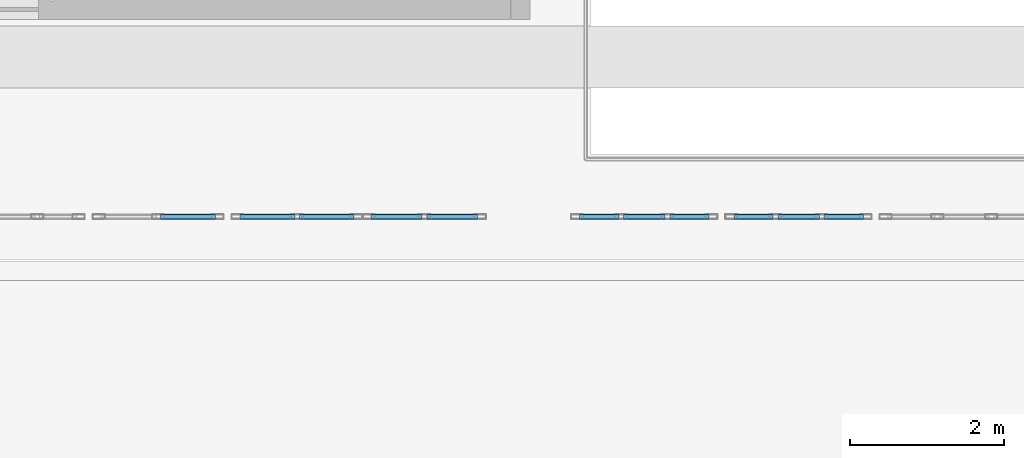
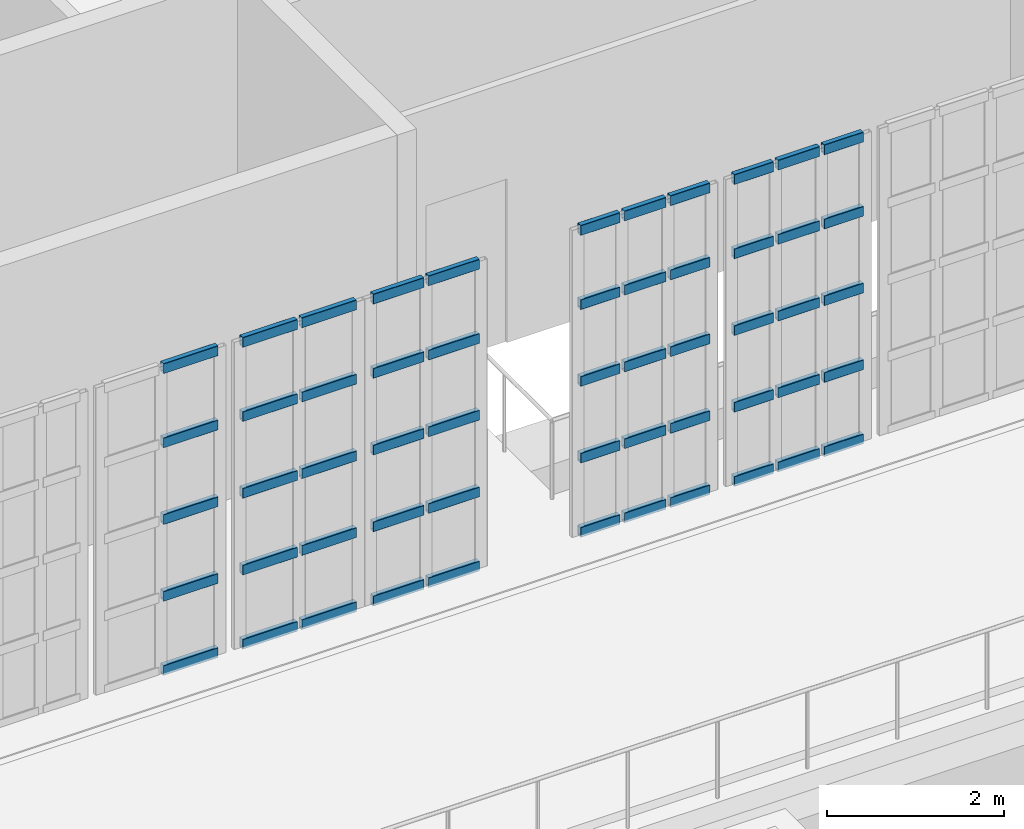
# One storey, part 26 of 56: 55 members, 5 elements without a shape of their own.
"""IFC4 building model written with IfcOpenShell, lengths in metres."""

from ifc_helpers import new_model, si_unit, direction, frame, origin, origin_2d, place, context, subcontext, project, spatial, hollow_rectangle, extrude, material, material_profile, profile_set, type_object, element, aggregate, save


model = new_model("IFC4")

# Units and contexts
model_context = context("Model", 3, precision=1e-05, world=origin(), true_north=direction((0.0, 1.0)))
body_context = subcontext(model_context, "Body", "Model", "MODEL_VIEW")
ifc_project = project(units=[si_unit("LENGTHUNIT", "METRE"), si_unit("AREAUNIT", "SQUARE_METRE"), si_unit("VOLUMEUNIT", "CUBIC_METRE"), si_unit("PLANEANGLEUNIT", "RADIAN"), si_unit("MASSUNIT", "GRAM", prefix="KILO")], contexts=[model_context])

# Site, building, storey
site_placement = place(None, origin())
site = spatial("IfcSite", under=ifc_project, at=site_placement, CompositionType="ELEMENT")
building_placement = place(site_placement, origin())
building = spatial("IfcBuilding", under=site, at=building_placement, Name="Kaelora Sail Theatre", CompositionType="ELEMENT")
storey_placement = place(building_placement, frame((0.0, 0.0, 14.699951171875)))
storey = spatial("IfcBuildingStorey", under=building, at=storey_placement, Name="L03", CompositionType="ELEMENT", Elevation=14.699951171875)

# Curtain wall, members
ifc_material_1 = material(Name="Anodised aluminium and solar-control low-E IGU", Category="aluminium")
curtain_wall_type = type_object("IfcCurtainWallType", Name="ARC-CW-CW-BRG", PredefinedType="NOTDEFINED", material=ifc_material_1)
curtain_wall_1_placement = place(storey_placement, origin())
curtain_wall_1 = element("IfcCurtainWall", 1, at=curtain_wall_1_placement, inside=storey, type_object=curtain_wall_type, Name="Glazed Foyer/Conservatory Curtain Wall FC1-S-L03-04", PredefinedType="NOTDEFINED")
ifc_material_2 = material(Name="Anodised aluminium 6063-T6", Category="aluminium")
ifc_material_profile = material_profile(ifc_material_2, hollow_rectangle(XDim=0.070068359375, YDim=0.139892578125, WallThickness=0.00390625, InnerFilletRadius=0.00390625, OuterFilletRadius=0.008056640625, at=origin_2d()), Name="ALU-TRAN 70x140x4")
ifc_profile_set = profile_set([ifc_material_profile], Name="Anodised aluminium 6063-T6")
member_type = type_object("IfcMemberType", Name="ARC-MEM-TR-140", PredefinedType="USERDEFINED", material=ifc_profile_set)
member_1_placement = place(storey_placement, frame((69.6298828125, 66.389892578125, 0.03515625), z_axis=(1.0, 0.0, 0.0), x_axis=(0.0, 1.0, 0.0)))
member_1 = element("IfcMember", 2, at=member_1_placement, type_object=member_type, Name="CW-BRG transom 2.1", ObjectType="TRANSOM", PredefinedType="USERDEFINED", context=body_context, shape_type="SweptSolid", body=[
    extrude(hollow_rectangle(XDim=0.070068359375, YDim=0.139892578125, WallThickness=0.00390625, InnerFilletRadius=0.00390625, OuterFilletRadius=0.008056640625, at=origin_2d()), origin(), (0.0, 0.0, 1.0), 0.710205078125),
])
member_2_placement = place(storey_placement, frame((69.6298828125, 66.389892578125, 1.05615234375), z_axis=(1.0, 0.0, 0.0), x_axis=(0.0, 1.0, 0.0)))
member_2 = element("IfcMember", 3, at=member_2_placement, type_object=member_type, Name="CW-BRG transom 2.2", ObjectType="TRANSOM", PredefinedType="USERDEFINED", context=body_context, shape_type="SweptSolid", body=[
    extrude(hollow_rectangle(XDim=0.070068359375, YDim=0.139892578125, WallThickness=0.00390625, InnerFilletRadius=0.00390625, OuterFilletRadius=0.008056640625, at=origin_2d()), origin(), (0.0, 0.0, 1.0), 0.710205078125),
])
member_3_placement = place(storey_placement, frame((69.6298828125, 66.389892578125, 2.112548828125), z_axis=(1.0, 0.0, 0.0), x_axis=(0.0, 1.0, 0.0)))
member_3 = element("IfcMember", 4, at=member_3_placement, type_object=member_type, Name="CW-BRG transom 2.3", ObjectType="TRANSOM", PredefinedType="USERDEFINED", context=body_context, shape_type="SweptSolid", body=[
    extrude(hollow_rectangle(XDim=0.070068359375, YDim=0.139892578125, WallThickness=0.00390625, InnerFilletRadius=0.00390625, OuterFilletRadius=0.008056640625, at=origin_2d()), origin(), (0.0, 0.0, 1.0), 0.710205078125),
])
member_4_placement = place(storey_placement, frame((69.6298828125, 66.389892578125, 3.168701171875), z_axis=(1.0, 0.0, 0.0), x_axis=(0.0, 1.0, 0.0)))
member_4 = element("IfcMember", 5, at=member_4_placement, type_object=member_type, Name="CW-BRG transom 2.4", ObjectType="TRANSOM", PredefinedType="USERDEFINED", context=body_context, shape_type="SweptSolid", body=[
    extrude(hollow_rectangle(XDim=0.070068359375, YDim=0.139892578125, WallThickness=0.00390625, InnerFilletRadius=0.00390625, OuterFilletRadius=0.008056640625, at=origin_2d()), origin(), (0.0, 0.0, 1.0), 0.710205078125),
])
member_5_placement = place(storey_placement, frame((69.6298828125, 66.389892578125, 4.18994140625), z_axis=(1.0, 0.0, 0.0), x_axis=(0.0, 1.0, 0.0)))
member_5 = element("IfcMember", 6, at=member_5_placement, type_object=member_type, Name="CW-BRG transom 2.5", ObjectType="TRANSOM", PredefinedType="USERDEFINED", context=body_context, shape_type="SweptSolid", body=[
    extrude(hollow_rectangle(XDim=0.070068359375, YDim=0.139892578125, WallThickness=0.00390625, InnerFilletRadius=0.00390625, OuterFilletRadius=0.008056640625, at=origin_2d()), origin(), (0.0, 0.0, 1.0), 0.710205078125),
])
aggregate(curtain_wall_1, [member_1, member_2, member_3, member_4, member_5])

curtain_wall_2_placement = place(storey_placement, origin())
curtain_wall_2 = element("IfcCurtainWall", 7, at=curtain_wall_2_placement, inside=storey, type_object=curtain_wall_type, Name="Glazed Foyer/Conservatory Curtain Wall FC1-S-L03-05", PredefinedType="NOTDEFINED")
member_6_placement = place(storey_placement, frame((70.659912109375, 66.389892578125, 0.03515625), z_axis=(1.0, 0.0, 0.0), x_axis=(0.0, 1.0, 0.0)))
member_6 = element("IfcMember", 8, at=member_6_placement, type_object=member_type, Name="CW-BRG transom 1.1", ObjectType="TRANSOM", PredefinedType="USERDEFINED", context=body_context, shape_type="SweptSolid", body=[
    extrude(hollow_rectangle(XDim=0.070068359375, YDim=0.139892578125, WallThickness=0.00390625, InnerFilletRadius=0.00390625, OuterFilletRadius=0.008056640625, at=origin_2d()), origin(), (0.0, 0.0, 1.0), 0.710205078125),
])
member_7_placement = place(storey_placement, frame((70.659912109375, 66.389892578125, 1.05615234375), z_axis=(1.0, 0.0, 0.0), x_axis=(0.0, 1.0, 0.0)))
member_7 = element("IfcMember", 9, at=member_7_placement, type_object=member_type, Name="CW-BRG transom 1.2", ObjectType="TRANSOM", PredefinedType="USERDEFINED", context=body_context, shape_type="SweptSolid", body=[
    extrude(hollow_rectangle(XDim=0.070068359375, YDim=0.139892578125, WallThickness=0.00390625, InnerFilletRadius=0.00390625, OuterFilletRadius=0.008056640625, at=origin_2d()), origin(), (0.0, 0.0, 1.0), 0.710205078125),
])
member_8_placement = place(storey_placement, frame((70.659912109375, 66.389892578125, 2.112548828125), z_axis=(1.0, 0.0, 0.0), x_axis=(0.0, 1.0, 0.0)))
member_8 = element("IfcMember", 10, at=member_8_placement, type_object=member_type, Name="CW-BRG transom 1.3", ObjectType="TRANSOM", PredefinedType="USERDEFINED", context=body_context, shape_type="SweptSolid", body=[
    extrude(hollow_rectangle(XDim=0.070068359375, YDim=0.139892578125, WallThickness=0.00390625, InnerFilletRadius=0.00390625, OuterFilletRadius=0.008056640625, at=origin_2d()), origin(), (0.0, 0.0, 1.0), 0.710205078125),
])
member_9_placement = place(storey_placement, frame((70.659912109375, 66.389892578125, 3.168701171875), z_axis=(1.0, 0.0, 0.0), x_axis=(0.0, 1.0, 0.0)))
member_9 = element("IfcMember", 11, at=member_9_placement, type_object=member_type, Name="CW-BRG transom 1.4", ObjectType="TRANSOM", PredefinedType="USERDEFINED", context=body_context, shape_type="SweptSolid", body=[
    extrude(hollow_rectangle(XDim=0.070068359375, YDim=0.139892578125, WallThickness=0.00390625, InnerFilletRadius=0.00390625, OuterFilletRadius=0.008056640625, at=origin_2d()), origin(), (0.0, 0.0, 1.0), 0.710205078125),
])
member_10_placement = place(storey_placement, frame((70.659912109375, 66.389892578125, 4.18994140625), z_axis=(1.0, 0.0, 0.0), x_axis=(0.0, 1.0, 0.0)))
member_10 = element("IfcMember", 12, at=member_10_placement, type_object=member_type, Name="CW-BRG transom 1.5", ObjectType="TRANSOM", PredefinedType="USERDEFINED", context=body_context, shape_type="SweptSolid", body=[
    extrude(hollow_rectangle(XDim=0.070068359375, YDim=0.139892578125, WallThickness=0.00390625, InnerFilletRadius=0.00390625, OuterFilletRadius=0.008056640625, at=origin_2d()), origin(), (0.0, 0.0, 1.0), 0.710205078125),
])
member_11_placement = place(storey_placement, frame((71.429931640625, 66.389892578125, 0.03515625), z_axis=(1.0, 0.0, 0.0), x_axis=(0.0, 1.0, 0.0)))
member_11 = element("IfcMember", 13, at=member_11_placement, type_object=member_type, Name="CW-BRG transom 2.1", ObjectType="TRANSOM", PredefinedType="USERDEFINED", context=body_context, shape_type="SweptSolid", body=[
    extrude(hollow_rectangle(XDim=0.070068359375, YDim=0.139892578125, WallThickness=0.00390625, InnerFilletRadius=0.00390625, OuterFilletRadius=0.008056640625, at=origin_2d()), origin(), (0.0, 0.0, 1.0), 0.7099609375),
])
member_12_placement = place(storey_placement, frame((71.429931640625, 66.389892578125, 1.05615234375), z_axis=(1.0, 0.0, 0.0), x_axis=(0.0, 1.0, 0.0)))
member_12 = element("IfcMember", 14, at=member_12_placement, type_object=member_type, Name="CW-BRG transom 2.2", ObjectType="TRANSOM", PredefinedType="USERDEFINED", context=body_context, shape_type="SweptSolid", body=[
    extrude(hollow_rectangle(XDim=0.070068359375, YDim=0.139892578125, WallThickness=0.00390625, InnerFilletRadius=0.00390625, OuterFilletRadius=0.008056640625, at=origin_2d()), origin(), (0.0, 0.0, 1.0), 0.7099609375),
])
member_13_placement = place(storey_placement, frame((71.429931640625, 66.389892578125, 2.112548828125), z_axis=(1.0, 0.0, 0.0), x_axis=(0.0, 1.0, 0.0)))
member_13 = element("IfcMember", 15, at=member_13_placement, type_object=member_type, Name="CW-BRG transom 2.3", ObjectType="TRANSOM", PredefinedType="USERDEFINED", context=body_context, shape_type="SweptSolid", body=[
    extrude(hollow_rectangle(XDim=0.070068359375, YDim=0.139892578125, WallThickness=0.00390625, InnerFilletRadius=0.00390625, OuterFilletRadius=0.008056640625, at=origin_2d()), origin(), (0.0, 0.0, 1.0), 0.7099609375),
])
member_14_placement = place(storey_placement, frame((71.429931640625, 66.389892578125, 3.168701171875), z_axis=(1.0, 0.0, 0.0), x_axis=(0.0, 1.0, 0.0)))
member_14 = element("IfcMember", 16, at=member_14_placement, type_object=member_type, Name="CW-BRG transom 2.4", ObjectType="TRANSOM", PredefinedType="USERDEFINED", context=body_context, shape_type="SweptSolid", body=[
    extrude(hollow_rectangle(XDim=0.070068359375, YDim=0.139892578125, WallThickness=0.00390625, InnerFilletRadius=0.00390625, OuterFilletRadius=0.008056640625, at=origin_2d()), origin(), (0.0, 0.0, 1.0), 0.7099609375),
])
member_15_placement = place(storey_placement, frame((71.429931640625, 66.389892578125, 4.18994140625), z_axis=(1.0, 0.0, 0.0), x_axis=(0.0, 1.0, 0.0)))
member_15 = element("IfcMember", 17, at=member_15_placement, type_object=member_type, Name="CW-BRG transom 2.5", ObjectType="TRANSOM", PredefinedType="USERDEFINED", context=body_context, shape_type="SweptSolid", body=[
    extrude(hollow_rectangle(XDim=0.070068359375, YDim=0.139892578125, WallThickness=0.00390625, InnerFilletRadius=0.00390625, OuterFilletRadius=0.008056640625, at=origin_2d()), origin(), (0.0, 0.0, 1.0), 0.7099609375),
])
aggregate(curtain_wall_2, [member_6, member_7, member_8, member_9, member_10, member_11, member_12, member_13, member_14, member_15])

curtain_wall_3_placement = place(storey_placement, origin())
curtain_wall_3 = element("IfcCurtainWall", 18, at=curtain_wall_3_placement, inside=storey, type_object=curtain_wall_type, Name="Glazed Foyer/Conservatory Curtain Wall FC1-S-L03-06", PredefinedType="NOTDEFINED")
member_16_placement = place(storey_placement, frame((72.360107421875, 66.389892578125, 0.03515625), z_axis=(1.0, 0.0, 0.0), x_axis=(0.0, 1.0, 0.0)))
member_16 = element("IfcMember", 19, at=member_16_placement, type_object=member_type, Name="CW-BRG transom 1.1", ObjectType="TRANSOM", PredefinedType="USERDEFINED", context=body_context, shape_type="SweptSolid", body=[
    extrude(hollow_rectangle(XDim=0.070068359375, YDim=0.139892578125, WallThickness=0.00390625, InnerFilletRadius=0.00390625, OuterFilletRadius=0.008056640625, at=origin_2d()), origin(), (0.0, 0.0, 1.0), 0.659912109375),
])
member_17_placement = place(storey_placement, frame((72.360107421875, 66.389892578125, 1.05615234375), z_axis=(1.0, 0.0, 0.0), x_axis=(0.0, 1.0, 0.0)))
member_17 = element("IfcMember", 20, at=member_17_placement, type_object=member_type, Name="CW-BRG transom 1.2", ObjectType="TRANSOM", PredefinedType="USERDEFINED", context=body_context, shape_type="SweptSolid", body=[
    extrude(hollow_rectangle(XDim=0.070068359375, YDim=0.139892578125, WallThickness=0.00390625, InnerFilletRadius=0.00390625, OuterFilletRadius=0.008056640625, at=origin_2d()), origin(), (0.0, 0.0, 1.0), 0.659912109375),
])
member_18_placement = place(storey_placement, frame((72.360107421875, 66.389892578125, 2.112548828125), z_axis=(1.0, 0.0, 0.0), x_axis=(0.0, 1.0, 0.0)))
member_18 = element("IfcMember", 21, at=member_18_placement, type_object=member_type, Name="CW-BRG transom 1.3", ObjectType="TRANSOM", PredefinedType="USERDEFINED", context=body_context, shape_type="SweptSolid", body=[
    extrude(hollow_rectangle(XDim=0.070068359375, YDim=0.139892578125, WallThickness=0.00390625, InnerFilletRadius=0.00390625, OuterFilletRadius=0.008056640625, at=origin_2d()), origin(), (0.0, 0.0, 1.0), 0.659912109375),
])
member_19_placement = place(storey_placement, frame((72.360107421875, 66.389892578125, 3.168701171875), z_axis=(1.0, 0.0, 0.0), x_axis=(0.0, 1.0, 0.0)))
member_19 = element("IfcMember", 22, at=member_19_placement, type_object=member_type, Name="CW-BRG transom 1.4", ObjectType="TRANSOM", PredefinedType="USERDEFINED", context=body_context, shape_type="SweptSolid", body=[
    extrude(hollow_rectangle(XDim=0.070068359375, YDim=0.139892578125, WallThickness=0.00390625, InnerFilletRadius=0.00390625, OuterFilletRadius=0.008056640625, at=origin_2d()), origin(), (0.0, 0.0, 1.0), 0.659912109375),
])
member_20_placement = place(storey_placement, frame((72.360107421875, 66.389892578125, 4.18994140625), z_axis=(1.0, 0.0, 0.0), x_axis=(0.0, 1.0, 0.0)))
member_20 = element("IfcMember", 23, at=member_20_placement, type_object=member_type, Name="CW-BRG transom 1.5", ObjectType="TRANSOM", PredefinedType="USERDEFINED", context=body_context, shape_type="SweptSolid", body=[
    extrude(hollow_rectangle(XDim=0.070068359375, YDim=0.139892578125, WallThickness=0.00390625, InnerFilletRadius=0.00390625, OuterFilletRadius=0.008056640625, at=origin_2d()), origin(), (0.0, 0.0, 1.0), 0.659912109375),
])
member_21_placement = place(storey_placement, frame((73.080078125, 66.389892578125, 0.03515625), z_axis=(1.0, 0.0, 0.0), x_axis=(0.0, 1.0, 0.0)))
member_21 = element("IfcMember", 24, at=member_21_placement, type_object=member_type, Name="CW-BRG transom 2.1", ObjectType="TRANSOM", PredefinedType="USERDEFINED", context=body_context, shape_type="SweptSolid", body=[
    extrude(hollow_rectangle(XDim=0.070068359375, YDim=0.139892578125, WallThickness=0.00390625, InnerFilletRadius=0.00390625, OuterFilletRadius=0.008056640625, at=origin_2d()), origin(), (0.0, 0.0, 1.0), 0.659912109375),
])
member_22_placement = place(storey_placement, frame((73.080078125, 66.389892578125, 1.05615234375), z_axis=(1.0, 0.0, 0.0), x_axis=(0.0, 1.0, 0.0)))
member_22 = element("IfcMember", 25, at=member_22_placement, type_object=member_type, Name="CW-BRG transom 2.2", ObjectType="TRANSOM", PredefinedType="USERDEFINED", context=body_context, shape_type="SweptSolid", body=[
    extrude(hollow_rectangle(XDim=0.070068359375, YDim=0.139892578125, WallThickness=0.00390625, InnerFilletRadius=0.00390625, OuterFilletRadius=0.008056640625, at=origin_2d()), origin(), (0.0, 0.0, 1.0), 0.659912109375),
])
member_23_placement = place(storey_placement, frame((73.080078125, 66.389892578125, 2.112548828125), z_axis=(1.0, 0.0, 0.0), x_axis=(0.0, 1.0, 0.0)))
member_23 = element("IfcMember", 26, at=member_23_placement, type_object=member_type, Name="CW-BRG transom 2.3", ObjectType="TRANSOM", PredefinedType="USERDEFINED", context=body_context, shape_type="SweptSolid", body=[
    extrude(hollow_rectangle(XDim=0.070068359375, YDim=0.139892578125, WallThickness=0.00390625, InnerFilletRadius=0.00390625, OuterFilletRadius=0.008056640625, at=origin_2d()), origin(), (0.0, 0.0, 1.0), 0.659912109375),
])
member_24_placement = place(storey_placement, frame((73.080078125, 66.389892578125, 3.168701171875), z_axis=(1.0, 0.0, 0.0), x_axis=(0.0, 1.0, 0.0)))
member_24 = element("IfcMember", 27, at=member_24_placement, type_object=member_type, Name="CW-BRG transom 2.4", ObjectType="TRANSOM", PredefinedType="USERDEFINED", context=body_context, shape_type="SweptSolid", body=[
    extrude(hollow_rectangle(XDim=0.070068359375, YDim=0.139892578125, WallThickness=0.00390625, InnerFilletRadius=0.00390625, OuterFilletRadius=0.008056640625, at=origin_2d()), origin(), (0.0, 0.0, 1.0), 0.659912109375),
])
member_25_placement = place(storey_placement, frame((73.080078125, 66.389892578125, 4.18994140625), z_axis=(1.0, 0.0, 0.0), x_axis=(0.0, 1.0, 0.0)))
member_25 = element("IfcMember", 28, at=member_25_placement, type_object=member_type, Name="CW-BRG transom 2.5", ObjectType="TRANSOM", PredefinedType="USERDEFINED", context=body_context, shape_type="SweptSolid", body=[
    extrude(hollow_rectangle(XDim=0.070068359375, YDim=0.139892578125, WallThickness=0.00390625, InnerFilletRadius=0.00390625, OuterFilletRadius=0.008056640625, at=origin_2d()), origin(), (0.0, 0.0, 1.0), 0.659912109375),
])
aggregate(curtain_wall_3, [member_16, member_17, member_18, member_19, member_20, member_21, member_22, member_23, member_24, member_25])

curtain_wall_4_placement = place(storey_placement, origin())
curtain_wall_4 = element("IfcCurtainWall", 29, at=curtain_wall_4_placement, inside=storey, type_object=curtain_wall_type, Name="Glazed Foyer/Conservatory Curtain Wall FC1-S-L03-07", PredefinedType="NOTDEFINED")
member_26_placement = place(storey_placement, frame((75.06005859375, 66.389892578125, 0.03515625), z_axis=(1.0, 0.0, 0.0), x_axis=(0.0, 1.0, 0.0)))
member_26 = element("IfcMember", 30, at=member_26_placement, type_object=member_type, Name="CW-BRG transom 1.1", ObjectType="TRANSOM", PredefinedType="USERDEFINED", context=body_context, shape_type="SweptSolid", body=[
    extrude(hollow_rectangle(XDim=0.070068359375, YDim=0.139892578125, WallThickness=0.00390625, InnerFilletRadius=0.00390625, OuterFilletRadius=0.008056640625, at=origin_2d()), origin(), (0.0, 0.0, 1.0), 0.510009765625),
])
member_27_placement = place(storey_placement, frame((75.06005859375, 66.389892578125, 1.05615234375), z_axis=(1.0, 0.0, 0.0), x_axis=(0.0, 1.0, 0.0)))
member_27 = element("IfcMember", 31, at=member_27_placement, type_object=member_type, Name="CW-BRG transom 1.2", ObjectType="TRANSOM", PredefinedType="USERDEFINED", context=body_context, shape_type="SweptSolid", body=[
    extrude(hollow_rectangle(XDim=0.070068359375, YDim=0.139892578125, WallThickness=0.00390625, InnerFilletRadius=0.00390625, OuterFilletRadius=0.008056640625, at=origin_2d()), origin(), (0.0, 0.0, 1.0), 0.510009765625),
])
member_28_placement = place(storey_placement, frame((75.06005859375, 66.389892578125, 2.112548828125), z_axis=(1.0, 0.0, 0.0), x_axis=(0.0, 1.0, 0.0)))
member_28 = element("IfcMember", 32, at=member_28_placement, type_object=member_type, Name="CW-BRG transom 1.3", ObjectType="TRANSOM", PredefinedType="USERDEFINED", context=body_context, shape_type="SweptSolid", body=[
    extrude(hollow_rectangle(XDim=0.070068359375, YDim=0.139892578125, WallThickness=0.00390625, InnerFilletRadius=0.00390625, OuterFilletRadius=0.008056640625, at=origin_2d()), origin(), (0.0, 0.0, 1.0), 0.510009765625),
])
member_29_placement = place(storey_placement, frame((75.06005859375, 66.389892578125, 3.168701171875), z_axis=(1.0, 0.0, 0.0), x_axis=(0.0, 1.0, 0.0)))
member_29 = element("IfcMember", 33, at=member_29_placement, type_object=member_type, Name="CW-BRG transom 1.4", ObjectType="TRANSOM", PredefinedType="USERDEFINED", context=body_context, shape_type="SweptSolid", body=[
    extrude(hollow_rectangle(XDim=0.070068359375, YDim=0.139892578125, WallThickness=0.00390625, InnerFilletRadius=0.00390625, OuterFilletRadius=0.008056640625, at=origin_2d()), origin(), (0.0, 0.0, 1.0), 0.510009765625),
])
member_30_placement = place(storey_placement, frame((75.06005859375, 66.389892578125, 4.18994140625), z_axis=(1.0, 0.0, 0.0), x_axis=(0.0, 1.0, 0.0)))
member_30 = element("IfcMember", 34, at=member_30_placement, type_object=member_type, Name="CW-BRG transom 1.5", ObjectType="TRANSOM", PredefinedType="USERDEFINED", context=body_context, shape_type="SweptSolid", body=[
    extrude(hollow_rectangle(XDim=0.070068359375, YDim=0.139892578125, WallThickness=0.00390625, InnerFilletRadius=0.00390625, OuterFilletRadius=0.008056640625, at=origin_2d()), origin(), (0.0, 0.0, 1.0), 0.510009765625),
])
member_31_placement = place(storey_placement, frame((75.6298828125, 66.389892578125, 0.03515625), z_axis=(1.0, 0.0, 0.0), x_axis=(0.0, 1.0, 0.0)))
member_31 = element("IfcMember", 35, at=member_31_placement, type_object=member_type, Name="CW-BRG transom 2.1", ObjectType="TRANSOM", PredefinedType="USERDEFINED", context=body_context, shape_type="SweptSolid", body=[
    extrude(hollow_rectangle(XDim=0.070068359375, YDim=0.139892578125, WallThickness=0.00390625, InnerFilletRadius=0.00390625, OuterFilletRadius=0.008056640625, at=origin_2d()), origin(), (0.0, 0.0, 1.0), 0.5400390625),
])
member_32_placement = place(storey_placement, frame((75.6298828125, 66.389892578125, 1.05615234375), z_axis=(1.0, 0.0, 0.0), x_axis=(0.0, 1.0, 0.0)))
member_32 = element("IfcMember", 36, at=member_32_placement, type_object=member_type, Name="CW-BRG transom 2.2", ObjectType="TRANSOM", PredefinedType="USERDEFINED", context=body_context, shape_type="SweptSolid", body=[
    extrude(hollow_rectangle(XDim=0.070068359375, YDim=0.139892578125, WallThickness=0.00390625, InnerFilletRadius=0.00390625, OuterFilletRadius=0.008056640625, at=origin_2d()), origin(), (0.0, 0.0, 1.0), 0.5400390625),
])
member_33_placement = place(storey_placement, frame((75.6298828125, 66.389892578125, 2.112548828125), z_axis=(1.0, 0.0, 0.0), x_axis=(0.0, 1.0, 0.0)))
member_33 = element("IfcMember", 37, at=member_33_placement, type_object=member_type, Name="CW-BRG transom 2.3", ObjectType="TRANSOM", PredefinedType="USERDEFINED", context=body_context, shape_type="SweptSolid", body=[
    extrude(hollow_rectangle(XDim=0.070068359375, YDim=0.139892578125, WallThickness=0.00390625, InnerFilletRadius=0.00390625, OuterFilletRadius=0.008056640625, at=origin_2d()), origin(), (0.0, 0.0, 1.0), 0.5400390625),
])
member_34_placement = place(storey_placement, frame((75.6298828125, 66.389892578125, 3.168701171875), z_axis=(1.0, 0.0, 0.0), x_axis=(0.0, 1.0, 0.0)))
member_34 = element("IfcMember", 38, at=member_34_placement, type_object=member_type, Name="CW-BRG transom 2.4", ObjectType="TRANSOM", PredefinedType="USERDEFINED", context=body_context, shape_type="SweptSolid", body=[
    extrude(hollow_rectangle(XDim=0.070068359375, YDim=0.139892578125, WallThickness=0.00390625, InnerFilletRadius=0.00390625, OuterFilletRadius=0.008056640625, at=origin_2d()), origin(), (0.0, 0.0, 1.0), 0.5400390625),
])
member_35_placement = place(storey_placement, frame((75.6298828125, 66.389892578125, 4.18994140625), z_axis=(1.0, 0.0, 0.0), x_axis=(0.0, 1.0, 0.0)))
member_35 = element("IfcMember", 39, at=member_35_placement, type_object=member_type, Name="CW-BRG transom 2.5", ObjectType="TRANSOM", PredefinedType="USERDEFINED", context=body_context, shape_type="SweptSolid", body=[
    extrude(hollow_rectangle(XDim=0.070068359375, YDim=0.139892578125, WallThickness=0.00390625, InnerFilletRadius=0.00390625, OuterFilletRadius=0.008056640625, at=origin_2d()), origin(), (0.0, 0.0, 1.0), 0.5400390625),
])
member_36_placement = place(storey_placement, frame((76.22998046875, 66.389892578125, 0.03515625), z_axis=(1.0, 0.0, 0.0), x_axis=(0.0, 1.0, 0.0)))
member_36 = element("IfcMember", 40, at=member_36_placement, type_object=member_type, Name="CW-BRG transom 3.1", ObjectType="TRANSOM", PredefinedType="USERDEFINED", context=body_context, shape_type="SweptSolid", body=[
    extrude(hollow_rectangle(XDim=0.070068359375, YDim=0.139892578125, WallThickness=0.00390625, InnerFilletRadius=0.00390625, OuterFilletRadius=0.008056640625, at=origin_2d()), origin(), (0.0, 0.0, 1.0), 0.510009765625),
])
member_37_placement = place(storey_placement, frame((76.22998046875, 66.389892578125, 1.05615234375), z_axis=(1.0, 0.0, 0.0), x_axis=(0.0, 1.0, 0.0)))
member_37 = element("IfcMember", 41, at=member_37_placement, type_object=member_type, Name="CW-BRG transom 3.2", ObjectType="TRANSOM", PredefinedType="USERDEFINED", context=body_context, shape_type="SweptSolid", body=[
    extrude(hollow_rectangle(XDim=0.070068359375, YDim=0.139892578125, WallThickness=0.00390625, InnerFilletRadius=0.00390625, OuterFilletRadius=0.008056640625, at=origin_2d()), origin(), (0.0, 0.0, 1.0), 0.510009765625),
])
member_38_placement = place(storey_placement, frame((76.22998046875, 66.389892578125, 2.112548828125), z_axis=(1.0, 0.0, 0.0), x_axis=(0.0, 1.0, 0.0)))
member_38 = element("IfcMember", 42, at=member_38_placement, type_object=member_type, Name="CW-BRG transom 3.3", ObjectType="TRANSOM", PredefinedType="USERDEFINED", context=body_context, shape_type="SweptSolid", body=[
    extrude(hollow_rectangle(XDim=0.070068359375, YDim=0.139892578125, WallThickness=0.00390625, InnerFilletRadius=0.00390625, OuterFilletRadius=0.008056640625, at=origin_2d()), origin(), (0.0, 0.0, 1.0), 0.510009765625),
])
member_39_placement = place(storey_placement, frame((76.22998046875, 66.389892578125, 3.168701171875), z_axis=(1.0, 0.0, 0.0), x_axis=(0.0, 1.0, 0.0)))
member_39 = element("IfcMember", 43, at=member_39_placement, type_object=member_type, Name="CW-BRG transom 3.4", ObjectType="TRANSOM", PredefinedType="USERDEFINED", context=body_context, shape_type="SweptSolid", body=[
    extrude(hollow_rectangle(XDim=0.070068359375, YDim=0.139892578125, WallThickness=0.00390625, InnerFilletRadius=0.00390625, OuterFilletRadius=0.008056640625, at=origin_2d()), origin(), (0.0, 0.0, 1.0), 0.510009765625),
])
member_40_placement = place(storey_placement, frame((76.22998046875, 66.389892578125, 4.18994140625), z_axis=(1.0, 0.0, 0.0), x_axis=(0.0, 1.0, 0.0)))
member_40 = element("IfcMember", 44, at=member_40_placement, type_object=member_type, Name="CW-BRG transom 3.5", ObjectType="TRANSOM", PredefinedType="USERDEFINED", context=body_context, shape_type="SweptSolid", body=[
    extrude(hollow_rectangle(XDim=0.070068359375, YDim=0.139892578125, WallThickness=0.00390625, InnerFilletRadius=0.00390625, OuterFilletRadius=0.008056640625, at=origin_2d()), origin(), (0.0, 0.0, 1.0), 0.510009765625),
])
aggregate(curtain_wall_4, [member_26, member_27, member_28, member_29, member_30, member_31, member_32, member_33, member_34, member_35, member_36, member_37, member_38, member_39, member_40])

curtain_wall_5_placement = place(storey_placement, origin())
curtain_wall_5 = element("IfcCurtainWall", 45, at=curtain_wall_5_placement, inside=storey, type_object=curtain_wall_type, Name="Glazed Foyer/Conservatory Curtain Wall FC1-S-L03-08", PredefinedType="NOTDEFINED")
member_41_placement = place(storey_placement, frame((77.06005859375, 66.389892578125, 0.03515625), z_axis=(1.0, 0.0, 0.0), x_axis=(0.0, 1.0, 0.0)))
member_41 = element("IfcMember", 46, at=member_41_placement, type_object=member_type, Name="CW-BRG transom 1.1", ObjectType="TRANSOM", PredefinedType="USERDEFINED", context=body_context, shape_type="SweptSolid", body=[
    extrude(hollow_rectangle(XDim=0.070068359375, YDim=0.139892578125, WallThickness=0.00390625, InnerFilletRadius=0.00390625, OuterFilletRadius=0.008056640625, at=origin_2d()), origin(), (0.0, 0.0, 1.0), 0.510009765625),
])
member_42_placement = place(storey_placement, frame((77.06005859375, 66.389892578125, 1.05615234375), z_axis=(1.0, 0.0, 0.0), x_axis=(0.0, 1.0, 0.0)))
member_42 = element("IfcMember", 47, at=member_42_placement, type_object=member_type, Name="CW-BRG transom 1.2", ObjectType="TRANSOM", PredefinedType="USERDEFINED", context=body_context, shape_type="SweptSolid", body=[
    extrude(hollow_rectangle(XDim=0.070068359375, YDim=0.139892578125, WallThickness=0.00390625, InnerFilletRadius=0.00390625, OuterFilletRadius=0.008056640625, at=origin_2d()), origin(), (0.0, 0.0, 1.0), 0.510009765625),
])
member_43_placement = place(storey_placement, frame((77.06005859375, 66.389892578125, 2.112548828125), z_axis=(1.0, 0.0, 0.0), x_axis=(0.0, 1.0, 0.0)))
member_43 = element("IfcMember", 48, at=member_43_placement, type_object=member_type, Name="CW-BRG transom 1.3", ObjectType="TRANSOM", PredefinedType="USERDEFINED", context=body_context, shape_type="SweptSolid", body=[
    extrude(hollow_rectangle(XDim=0.070068359375, YDim=0.139892578125, WallThickness=0.00390625, InnerFilletRadius=0.00390625, OuterFilletRadius=0.008056640625, at=origin_2d()), origin(), (0.0, 0.0, 1.0), 0.510009765625),
])
member_44_placement = place(storey_placement, frame((77.06005859375, 66.389892578125, 3.168701171875), z_axis=(1.0, 0.0, 0.0), x_axis=(0.0, 1.0, 0.0)))
member_44 = element("IfcMember", 49, at=member_44_placement, type_object=member_type, Name="CW-BRG transom 1.4", ObjectType="TRANSOM", PredefinedType="USERDEFINED", context=body_context, shape_type="SweptSolid", body=[
    extrude(hollow_rectangle(XDim=0.070068359375, YDim=0.139892578125, WallThickness=0.00390625, InnerFilletRadius=0.00390625, OuterFilletRadius=0.008056640625, at=origin_2d()), origin(), (0.0, 0.0, 1.0), 0.510009765625),
])
member_45_placement = place(storey_placement, frame((77.06005859375, 66.389892578125, 4.18994140625), z_axis=(1.0, 0.0, 0.0), x_axis=(0.0, 1.0, 0.0)))
member_45 = element("IfcMember", 50, at=member_45_placement, type_object=member_type, Name="CW-BRG transom 1.5", ObjectType="TRANSOM", PredefinedType="USERDEFINED", context=body_context, shape_type="SweptSolid", body=[
    extrude(hollow_rectangle(XDim=0.070068359375, YDim=0.139892578125, WallThickness=0.00390625, InnerFilletRadius=0.00390625, OuterFilletRadius=0.008056640625, at=origin_2d()), origin(), (0.0, 0.0, 1.0), 0.510009765625),
])
member_46_placement = place(storey_placement, frame((77.6298828125, 66.389892578125, 0.03515625), z_axis=(1.0, 0.0, 0.0), x_axis=(0.0, 1.0, 0.0)))
member_46 = element("IfcMember", 51, at=member_46_placement, type_object=member_type, Name="CW-BRG transom 2.1", ObjectType="TRANSOM", PredefinedType="USERDEFINED", context=body_context, shape_type="SweptSolid", body=[
    extrude(hollow_rectangle(XDim=0.070068359375, YDim=0.139892578125, WallThickness=0.00390625, InnerFilletRadius=0.00390625, OuterFilletRadius=0.008056640625, at=origin_2d()), origin(), (0.0, 0.0, 1.0), 0.5400390625),
])
member_47_placement = place(storey_placement, frame((77.6298828125, 66.389892578125, 1.05615234375), z_axis=(1.0, 0.0, 0.0), x_axis=(0.0, 1.0, 0.0)))
member_47 = element("IfcMember", 52, at=member_47_placement, type_object=member_type, Name="CW-BRG transom 2.2", ObjectType="TRANSOM", PredefinedType="USERDEFINED", context=body_context, shape_type="SweptSolid", body=[
    extrude(hollow_rectangle(XDim=0.070068359375, YDim=0.139892578125, WallThickness=0.00390625, InnerFilletRadius=0.00390625, OuterFilletRadius=0.008056640625, at=origin_2d()), origin(), (0.0, 0.0, 1.0), 0.5400390625),
])
member_48_placement = place(storey_placement, frame((77.6298828125, 66.389892578125, 2.112548828125), z_axis=(1.0, 0.0, 0.0), x_axis=(0.0, 1.0, 0.0)))
member_48 = element("IfcMember", 53, at=member_48_placement, type_object=member_type, Name="CW-BRG transom 2.3", ObjectType="TRANSOM", PredefinedType="USERDEFINED", context=body_context, shape_type="SweptSolid", body=[
    extrude(hollow_rectangle(XDim=0.070068359375, YDim=0.139892578125, WallThickness=0.00390625, InnerFilletRadius=0.00390625, OuterFilletRadius=0.008056640625, at=origin_2d()), origin(), (0.0, 0.0, 1.0), 0.5400390625),
])
member_49_placement = place(storey_placement, frame((77.6298828125, 66.389892578125, 3.168701171875), z_axis=(1.0, 0.0, 0.0), x_axis=(0.0, 1.0, 0.0)))
member_49 = element("IfcMember", 54, at=member_49_placement, type_object=member_type, Name="CW-BRG transom 2.4", ObjectType="TRANSOM", PredefinedType="USERDEFINED", context=body_context, shape_type="SweptSolid", body=[
    extrude(hollow_rectangle(XDim=0.070068359375, YDim=0.139892578125, WallThickness=0.00390625, InnerFilletRadius=0.00390625, OuterFilletRadius=0.008056640625, at=origin_2d()), origin(), (0.0, 0.0, 1.0), 0.5400390625),
])
member_50_placement = place(storey_placement, frame((77.6298828125, 66.389892578125, 4.18994140625), z_axis=(1.0, 0.0, 0.0), x_axis=(0.0, 1.0, 0.0)))
member_50 = element("IfcMember", 55, at=member_50_placement, type_object=member_type, Name="CW-BRG transom 2.5", ObjectType="TRANSOM", PredefinedType="USERDEFINED", context=body_context, shape_type="SweptSolid", body=[
    extrude(hollow_rectangle(XDim=0.070068359375, YDim=0.139892578125, WallThickness=0.00390625, InnerFilletRadius=0.00390625, OuterFilletRadius=0.008056640625, at=origin_2d()), origin(), (0.0, 0.0, 1.0), 0.5400390625),
])
member_51_placement = place(storey_placement, frame((78.22998046875, 66.389892578125, 0.03515625), z_axis=(1.0, 0.0, 0.0), x_axis=(0.0, 1.0, 0.0)))
member_51 = element("IfcMember", 56, at=member_51_placement, type_object=member_type, Name="CW-BRG transom 3.1", ObjectType="TRANSOM", PredefinedType="USERDEFINED", context=body_context, shape_type="SweptSolid", body=[
    extrude(hollow_rectangle(XDim=0.070068359375, YDim=0.139892578125, WallThickness=0.00390625, InnerFilletRadius=0.00390625, OuterFilletRadius=0.008056640625, at=origin_2d()), origin(), (0.0, 0.0, 1.0), 0.510009765625),
])
member_52_placement = place(storey_placement, frame((78.22998046875, 66.389892578125, 1.05615234375), z_axis=(1.0, 0.0, 0.0), x_axis=(0.0, 1.0, 0.0)))
member_52 = element("IfcMember", 57, at=member_52_placement, type_object=member_type, Name="CW-BRG transom 3.2", ObjectType="TRANSOM", PredefinedType="USERDEFINED", context=body_context, shape_type="SweptSolid", body=[
    extrude(hollow_rectangle(XDim=0.070068359375, YDim=0.139892578125, WallThickness=0.00390625, InnerFilletRadius=0.00390625, OuterFilletRadius=0.008056640625, at=origin_2d()), origin(), (0.0, 0.0, 1.0), 0.510009765625),
])
member_53_placement = place(storey_placement, frame((78.22998046875, 66.389892578125, 2.112548828125), z_axis=(1.0, 0.0, 0.0), x_axis=(0.0, 1.0, 0.0)))
member_53 = element("IfcMember", 58, at=member_53_placement, type_object=member_type, Name="CW-BRG transom 3.3", ObjectType="TRANSOM", PredefinedType="USERDEFINED", context=body_context, shape_type="SweptSolid", body=[
    extrude(hollow_rectangle(XDim=0.070068359375, YDim=0.139892578125, WallThickness=0.00390625, InnerFilletRadius=0.00390625, OuterFilletRadius=0.008056640625, at=origin_2d()), origin(), (0.0, 0.0, 1.0), 0.510009765625),
])
member_54_placement = place(storey_placement, frame((78.22998046875, 66.389892578125, 3.168701171875), z_axis=(1.0, 0.0, 0.0), x_axis=(0.0, 1.0, 0.0)))
member_54 = element("IfcMember", 59, at=member_54_placement, type_object=member_type, Name="CW-BRG transom 3.4", ObjectType="TRANSOM", PredefinedType="USERDEFINED", context=body_context, shape_type="SweptSolid", body=[
    extrude(hollow_rectangle(XDim=0.070068359375, YDim=0.139892578125, WallThickness=0.00390625, InnerFilletRadius=0.00390625, OuterFilletRadius=0.008056640625, at=origin_2d()), origin(), (0.0, 0.0, 1.0), 0.510009765625),
])
member_55_placement = place(storey_placement, frame((78.22998046875, 66.389892578125, 4.18994140625), z_axis=(1.0, 0.0, 0.0), x_axis=(0.0, 1.0, 0.0)))
member_55 = element("IfcMember", 60, at=member_55_placement, type_object=member_type, Name="CW-BRG transom 3.5", ObjectType="TRANSOM", PredefinedType="USERDEFINED", context=body_context, shape_type="SweptSolid", body=[
    extrude(hollow_rectangle(XDim=0.070068359375, YDim=0.139892578125, WallThickness=0.00390625, InnerFilletRadius=0.00390625, OuterFilletRadius=0.008056640625, at=origin_2d()), origin(), (0.0, 0.0, 1.0), 0.510009765625),
])
aggregate(curtain_wall_5, [member_41, member_42, member_43, member_44, member_45, member_46, member_47, member_48, member_49, member_50, member_51, member_52, member_53, member_54, member_55])

save(model, "model.ifc")
